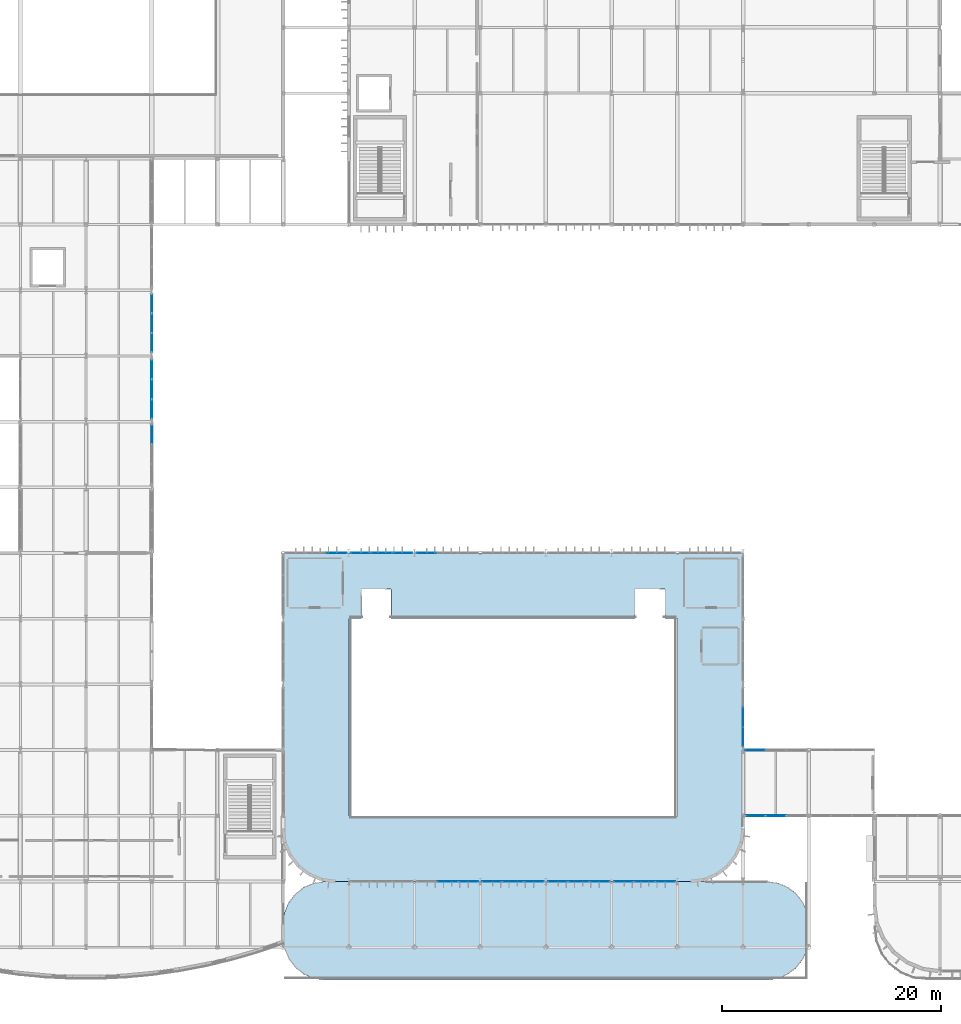
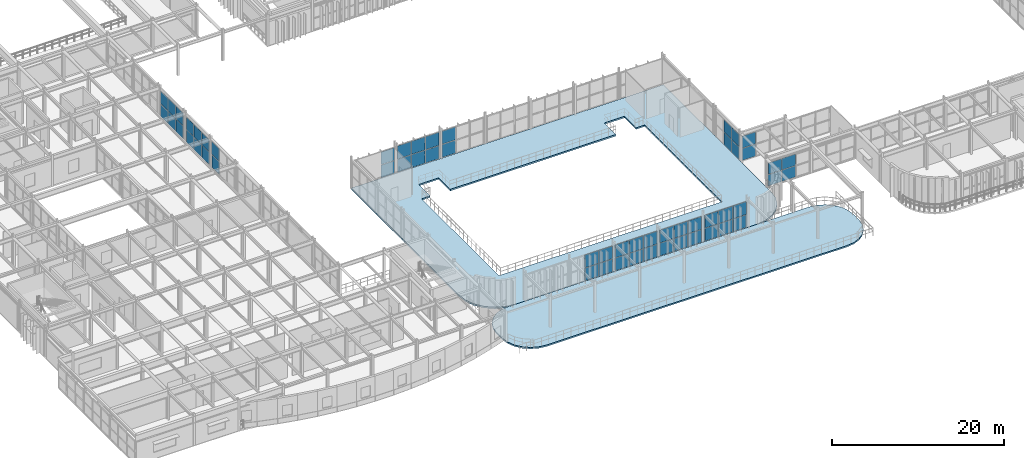
# One storey, part 57 of 96: 56 plates, 2 slabs, 13 elements without a shape of their own.
"""IFC4 building model written with IfcOpenShell, lengths in metres."""

from ifc_helpers import new_model, si_unit, direction, frame, origin, origin_2d, place, context, subcontext, project, spatial, polyline, rectangle, outline, extrude, material, layer, layer_set, type_object, element, aggregate, save


model = new_model("IFC4")

# Units and contexts
model_context = context("Model", 3, precision=1e-05, world=origin(), true_north=direction((0.0, 1.0)))
body_context = subcontext(model_context, "Body", "Model", "MODEL_VIEW")
ifc_project = project(units=[si_unit("LENGTHUNIT", "METRE"), si_unit("AREAUNIT", "SQUARE_METRE"), si_unit("VOLUMEUNIT", "CUBIC_METRE"), si_unit("PLANEANGLEUNIT", "RADIAN"), si_unit("MASSUNIT", "GRAM", prefix="KILO")], contexts=[model_context])

# Site, building, storey
site_placement = place(None, origin())
site = spatial("IfcSite", under=ifc_project, at=site_placement, CompositionType="ELEMENT")
building_placement = place(site_placement, origin())
building = spatial("IfcBuilding", under=site, at=building_placement, Name="Varnakota Square Police Headquarters", CompositionType="ELEMENT")
storey_placement = place(building_placement, frame((0.0, 0.0, 4.800048828125)))
storey = spatial("IfcBuildingStorey", under=building, at=storey_placement, Name="L01", CompositionType="ELEMENT", Elevation=4.800048828125)

# Curtain wall, plates
ifc_material_1 = material(Name="Anodised Aluminium Framing", Category="aluminium")
curtain_wall_type_1 = type_object("IfcCurtainWallType", Name="CW-SYS-B", PredefinedType="NOTDEFINED", material=ifc_material_1)
curtain_wall_1_placement = place(storey_placement, origin())
curtain_wall_1 = element("IfcCurtainWall", 1, at=curtain_wall_1_placement, inside=storey, type_object=curtain_wall_type_1, Name="Unitised curtain wall CWG-L01-019", PredefinedType="NOTDEFINED")
ifc_material_2 = material(Name="Solar-Control Laminated Double Glazing", Category="glass")
ifc_layer_1 = layer(ifc_material_2, 0.028076171875, Name="Solar-Control Laminated Double Glazing")
ifc_layer_set_1 = layer_set([ifc_layer_1], Name="Solar-Control Laminated Double Glazing")
plate_type_1 = type_object("IfcPlateType", Name="CWP-GLZ-28", PredefinedType="CURTAIN_PANEL", material=ifc_layer_set_1)
plate_1_placement = place(storey_placement, frame((79.0966796875, 9.0, 0.06494140625), z_axis=(0.0, 0.0, 1.0), x_axis=(1.0, 0.0, 0.0)))
plate_1 = element("IfcPlate", 2, at=plate_1_placement, type_object=plate_type_1, Name="CWG-L01-019 panel 1.1", PredefinedType="CURTAIN_PANEL", context=body_context, shape_type="SweptSolid", body=[
    extrude(rectangle(XDim=1.803466796875, YDim=0.028076171875, at=origin_2d()), origin(), (0.0, 0.0, 1.0), 1.797607421875),
])
plate_2_placement = place(storey_placement, frame((80.9814453125, 9.0, 0.06494140625), z_axis=(0.0, 0.0, 1.0), x_axis=(1.0, 0.0, 0.0)))
plate_2 = element("IfcPlate", 3, at=plate_2_placement, type_object=plate_type_1, Name="CWG-L01-019 panel 2.1", PredefinedType="CURTAIN_PANEL", context=body_context, shape_type="SweptSolid", body=[
    extrude(rectangle(XDim=1.8359375, YDim=0.028076171875, at=origin_2d()), origin(), (0.0, 0.0, 1.0), 1.797607421875),
])
plate_3_placement = place(storey_placement, frame((82.866455078125, 9.0, 0.06494140625), z_axis=(0.0, 0.0, 1.0), x_axis=(1.0, 0.0, 0.0)))
plate_3 = element("IfcPlate", 4, at=plate_3_placement, type_object=plate_type_1, Name="CWG-L01-019 panel 3.1", PredefinedType="CURTAIN_PANEL", context=body_context, shape_type="SweptSolid", body=[
    extrude(rectangle(XDim=1.803466796875, YDim=0.028076171875, at=origin_2d()), origin(), (0.0, 0.0, 1.0), 1.797607421875),
])

# Curtain wall, plate
curtain_wall_2_placement = place(storey_placement, origin())
curtain_wall_2 = element("IfcCurtainWall", 5, at=curtain_wall_2_placement, inside=storey, type_object=curtain_wall_type_1, Name="Unitised curtain wall CWG-L01-023", PredefinedType="NOTDEFINED")
plate_4_placement = place(storey_placement, frame((67.0966796875, 39.0, 0.06494140625), z_axis=(0.0, 0.0, 1.0), x_axis=(1.0, 0.0, 0.0)))
plate_4 = element("IfcPlate", 6, at=plate_4_placement, type_object=plate_type_1, Name="CWG-L01-023 panel 1.1", PredefinedType="CURTAIN_PANEL", context=body_context, shape_type="SweptSolid", body=[
    extrude(rectangle(XDim=1.803466796875, YDim=0.028076171875, at=origin_2d()), origin(), (0.0, 0.0, 1.0), 1.847412109375),
])

curtain_wall_type_2 = type_object("IfcCurtainWallType", Name="CW-SYS-D", PredefinedType="NOTDEFINED", material=ifc_material_1)
curtain_wall_3_placement = place(storey_placement, origin())
curtain_wall_3 = element("IfcCurtainWall", 7, at=curtain_wall_3_placement, inside=storey, type_object=curtain_wall_type_2, Name="Unitised curtain wall CWG-L01-143", PredefinedType="NOTDEFINED")
plate_5_placement = place(storey_placement, frame((42.0, 49.843017578125, 0.06494140625), z_axis=(0.0, 0.0, 1.0), x_axis=(0.0, 1.0, 0.0)))
plate_5 = element("IfcPlate", 8, at=plate_5_placement, type_object=plate_type_1, Name="CWG-L01-143 panel 3.1", PredefinedType="CURTAIN_PANEL", context=body_context, shape_type="SweptSolid", body=[
    extrude(rectangle(XDim=1.72412109375, YDim=0.028076171875, at=origin_2d()), origin(), (0.0, 0.0, 1.0), 1.794189453125),
])

# Curtain wall, plates
curtain_wall_4_placement = place(storey_placement, origin())
curtain_wall_4 = element("IfcCurtainWall", 9, at=curtain_wall_4_placement, inside=storey, type_object=curtain_wall_type_1, Name="Unitised curtain wall CWG-L01-020", PredefinedType="NOTDEFINED")
ifc_material_3 = material(Name="Acoustic Laminated Double Glazing", Category="glass")
ifc_layer_2 = layer(ifc_material_3, 0.031982421875, Name="Acoustic Laminated Double Glazing")
ifc_layer_set_2 = layer_set([ifc_layer_2], Name="Acoustic Laminated Double Glazing")
plate_type_2 = type_object("IfcPlateType", Name="CWP-GLZ-32", PredefinedType="CURTAIN_PANEL", material=ifc_layer_set_2)
plate_6_placement = place(storey_placement, frame((85.133544921875, 9.0, 0.06494140625), z_axis=(0.0, 0.0, 1.0), x_axis=(1.0, 0.0, 0.0)))
plate_6 = element("IfcPlate", 10, at=plate_6_placement, type_object=plate_type_2, Name="CWG-L01-020 panel 1.1", PredefinedType="CURTAIN_PANEL", context=body_context, shape_type="SweptSolid", body=[
    extrude(rectangle(XDim=1.803466796875, YDim=0.031982421875, at=origin_2d()), origin(), (0.0, 0.0, 1.0), 1.797607421875),
])
plate_7_placement = place(storey_placement, frame((87.0185546875, 9.0, 0.06494140625), z_axis=(0.0, 0.0, 1.0), x_axis=(1.0, 0.0, 0.0)))
plate_7 = element("IfcPlate", 11, at=plate_7_placement, type_object=plate_type_2, Name="CWG-L01-020 panel 2.1", PredefinedType="CURTAIN_PANEL", context=body_context, shape_type="SweptSolid", body=[
    extrude(rectangle(XDim=1.8359375, YDim=0.031982421875, at=origin_2d()), origin(), (0.0, 0.0, 1.0), 1.797607421875),
])
plate_8_placement = place(storey_placement, frame((88.9033203125, 9.0, 0.06494140625), z_axis=(0.0, 0.0, 1.0), x_axis=(1.0, 0.0, 0.0)))
plate_8 = element("IfcPlate", 12, at=plate_8_placement, type_object=plate_type_2, Name="CWG-L01-020 panel 3.1", PredefinedType="CURTAIN_PANEL", context=body_context, shape_type="SweptSolid", body=[
    extrude(rectangle(XDim=1.803466796875, YDim=0.031982421875, at=origin_2d()), origin(), (0.0, 0.0, 1.0), 1.797607421875),
])

curtain_wall_5_placement = place(storey_placement, origin())
curtain_wall_5 = element("IfcCurtainWall", 13, at=curtain_wall_5_placement, inside=storey, type_object=curtain_wall_type_2, Name="Unitised curtain wall CWG-L01-144", PredefinedType="NOTDEFINED")
plate_9_placement = place(storey_placement, frame((42.0, 52.156982421875, 0.06494140625), z_axis=(0.0, 0.0, 1.0), x_axis=(0.0, 1.0, 0.0)))
plate_9 = element("IfcPlate", 14, at=plate_9_placement, type_object=plate_type_2, Name="CWG-L01-144 panel 1.1", PredefinedType="CURTAIN_PANEL", context=body_context, shape_type="SweptSolid", body=[
    extrude(rectangle(XDim=1.72412109375, YDim=0.031982421875, at=origin_2d()), origin(), (0.0, 0.0, 1.0), 1.74755859375),
])
plate_10_placement = place(storey_placement, frame((42.0, 53.96240234375, 0.06494140625), z_axis=(0.0, 0.0, 1.0), x_axis=(0.0, 1.0, 0.0)))
plate_10 = element("IfcPlate", 15, at=plate_10_placement, type_object=plate_type_2, Name="CWG-L01-144 panel 2.1", PredefinedType="CURTAIN_PANEL", context=body_context, shape_type="SweptSolid", body=[
    extrude(rectangle(XDim=1.756591796875, YDim=0.031982421875, at=origin_2d()), origin(), (0.0, 0.0, 1.0), 1.74755859375),
])
plate_11_placement = place(storey_placement, frame((42.0, 55.767822265625, 0.06494140625), z_axis=(0.0, 0.0, 1.0), x_axis=(0.0, 1.0, 0.0)))
plate_11 = element("IfcPlate", 16, at=plate_11_placement, type_object=plate_type_2, Name="CWG-L01-144 panel 3.1", PredefinedType="CURTAIN_PANEL", context=body_context, shape_type="SweptSolid", body=[
    extrude(rectangle(XDim=1.72412109375, YDim=0.031982421875, at=origin_2d()), origin(), (0.0, 0.0, 1.0), 1.74755859375),
])

curtain_wall_type_3 = type_object("IfcCurtainWallType", Name="CW-SYS-E", PredefinedType="NOTDEFINED", material=ifc_material_1)
curtain_wall_6_placement = place(storey_placement, origin())
curtain_wall_6 = element("IfcCurtainWall", 17, at=curtain_wall_6_placement, inside=storey, type_object=curtain_wall_type_3, Name="Unitised curtain wall CWG-L01-216", PredefinedType="NOTDEFINED")
plate_12_placement = place(storey_placement, frame((97.12939453125, 15.0, 0.06494140625), z_axis=(0.0, 0.0, 1.0), x_axis=(1.0, 0.0, 0.0)))
plate_12 = element("IfcPlate", 18, at=plate_12_placement, type_object=plate_type_2, Name="CWG-L01-216 panel 1.1", PredefinedType="CURTAIN_PANEL", context=body_context, shape_type="SweptSolid", body=[
    extrude(rectangle(XDim=1.795166015625, YDim=0.031982421875, at=origin_2d()), origin(), (0.0, 0.0, 1.0), 1.597412109375),
])
plate_13_placement = place(storey_placement, frame((99.005859375, 15.0, 0.06494140625), z_axis=(0.0, 0.0, 1.0), x_axis=(1.0, 0.0, 0.0)))
plate_13 = element("IfcPlate", 19, at=plate_13_placement, type_object=plate_type_2, Name="CWG-L01-216 panel 2.1", PredefinedType="CURTAIN_PANEL", context=body_context, shape_type="SweptSolid", body=[
    extrude(rectangle(XDim=1.82763671875, YDim=0.031982421875, at=origin_2d()), origin(), (0.0, 0.0, 1.0), 1.597412109375),
])

curtain_wall_7_placement = place(storey_placement, origin())
curtain_wall_7 = element("IfcCurtainWall", 20, at=curtain_wall_7_placement, inside=storey, type_object=curtain_wall_type_1, Name="Unitised curtain wall CWG-L01-017", PredefinedType="NOTDEFINED")
ifc_material_4 = material(Name="Blast-Resistant Laminated Glazing", Category="glass")
ifc_layer_3 = layer(ifc_material_4, 0.035888671875, Name="Blast-Resistant Laminated Glazing")
ifc_layer_set_3 = layer_set([ifc_layer_3], Name="Blast-Resistant Laminated Glazing")
plate_type_3 = type_object("IfcPlateType", Name="CWP-GLZ-36", PredefinedType="CURTAIN_PANEL", material=ifc_layer_set_3)
plate_14_placement = place(storey_placement, frame((69.0185546875, 9.0, 0.06494140625), z_axis=(0.0, 0.0, 1.0), x_axis=(1.0, 0.0, 0.0)))
plate_14 = element("IfcPlate", 21, at=plate_14_placement, type_object=plate_type_3, Name="CWG-L01-017 panel 2.1", PredefinedType="CURTAIN_PANEL", context=body_context, shape_type="SweptSolid", body=[
    extrude(rectangle(XDim=1.8359375, YDim=0.035888671875, at=origin_2d()), origin(), (0.0, 0.0, 1.0), 1.797607421875),
])
plate_15_placement = place(storey_placement, frame((70.9033203125, 9.0, 0.06494140625), z_axis=(0.0, 0.0, 1.0), x_axis=(1.0, 0.0, 0.0)))
plate_15 = element("IfcPlate", 22, at=plate_15_placement, type_object=plate_type_3, Name="CWG-L01-017 panel 3.1", PredefinedType="CURTAIN_PANEL", context=body_context, shape_type="SweptSolid", body=[
    extrude(rectangle(XDim=1.803466796875, YDim=0.035888671875, at=origin_2d()), origin(), (0.0, 0.0, 1.0), 1.797607421875),
])

# Curtain wall, plate
curtain_wall_8_placement = place(storey_placement, origin())
curtain_wall_8 = element("IfcCurtainWall", 23, at=curtain_wall_8_placement, inside=storey, type_object=curtain_wall_type_1, Name="Unitised curtain wall CWG-L01-021", PredefinedType="NOTDEFINED")
plate_16_placement = place(storey_placement, frame((58.9033203125, 39.0, 0.06494140625), z_axis=(0.0, 0.0, 1.0), x_axis=(1.0, 0.0, 0.0)))
plate_16 = element("IfcPlate", 24, at=plate_16_placement, type_object=plate_type_3, Name="CWG-L01-021 panel 3.1", PredefinedType="CURTAIN_PANEL", context=body_context, shape_type="SweptSolid", body=[
    extrude(rectangle(XDim=1.803466796875, YDim=0.035888671875, at=origin_2d()), origin(), (0.0, 0.0, 1.0), 1.797607421875),
])

# Curtain wall, plates
curtain_wall_9_placement = place(storey_placement, origin())
curtain_wall_9 = element("IfcCurtainWall", 25, at=curtain_wall_9_placement, inside=storey, type_object=curtain_wall_type_2, Name="Unitised curtain wall CWG-L01-145", PredefinedType="NOTDEFINED")
plate_17_placement = place(storey_placement, frame((42.0, 58.219482421875, 0.06494140625), z_axis=(0.0, 0.0, 1.0), x_axis=(0.0, 1.0, 0.0)))
plate_17 = element("IfcPlate", 26, at=plate_17_placement, type_object=plate_type_3, Name="CWG-L01-145 panel 1.1", PredefinedType="CURTAIN_PANEL", context=body_context, shape_type="SweptSolid", body=[
    extrude(rectangle(XDim=1.69921875, YDim=0.035888671875, at=origin_2d()), origin(), (0.0, 0.0, 1.0), 1.7724609375),
])
plate_18_placement = place(storey_placement, frame((42.0, 60.0, 0.06494140625), z_axis=(0.0, 0.0, 1.0), x_axis=(0.0, 1.0, 0.0)))
plate_18 = element("IfcPlate", 27, at=plate_18_placement, type_object=plate_type_3, Name="CWG-L01-145 panel 2.1", PredefinedType="CURTAIN_PANEL", context=body_context, shape_type="SweptSolid", body=[
    extrude(rectangle(XDim=1.731689453125, YDim=0.035888671875, at=origin_2d()), origin(), (0.0, 0.0, 1.0), 1.7724609375),
])
plate_19_placement = place(storey_placement, frame((42.0, 61.780517578125, 0.06494140625), z_axis=(0.0, 0.0, 1.0), x_axis=(0.0, 1.0, 0.0)))
plate_19 = element("IfcPlate", 28, at=plate_19_placement, type_object=plate_type_3, Name="CWG-L01-145 panel 3.1", PredefinedType="CURTAIN_PANEL", context=body_context, shape_type="SweptSolid", body=[
    extrude(rectangle(XDim=1.69921875, YDim=0.035888671875, at=origin_2d()), origin(), (0.0, 0.0, 1.0), 1.7724609375),
])

# Curtain wall, plate
curtain_wall_10_placement = place(storey_placement, origin())
curtain_wall_10 = element("IfcCurtainWall", 29, at=curtain_wall_10_placement, inside=storey, type_object=curtain_wall_type_3, Name="Unitised curtain wall CWG-L01-217", PredefinedType="NOTDEFINED")
plate_20_placement = place(storey_placement, frame((97.0986328125, 21.0, 0.06494140625), z_axis=(0.0, 0.0, 1.0), x_axis=(1.0, 0.0, 0.0)))
plate_20 = element("IfcPlate", 30, at=plate_20_placement, type_object=plate_type_3, Name="CWG-L01-217 panel 1.1", PredefinedType="CURTAIN_PANEL", context=body_context, shape_type="SweptSolid", body=[
    extrude(rectangle(XDim=1.8076171875, YDim=0.035888671875, at=origin_2d()), origin(), (0.0, 0.0, 1.0), 1.697509765625),
])

# Curtain wall, plates
curtain_wall_11_placement = place(storey_placement, origin())
curtain_wall_11 = element("IfcCurtainWall", 31, at=curtain_wall_11_placement, inside=storey, type_object=curtain_wall_type_1, Name="Unitised curtain wall CWG-L01-018", PredefinedType="NOTDEFINED")
ifc_material_5 = material(Name="Triple-Glazed Clean-Lab Vision Unit", Category="aluminium")
ifc_layer_4 = layer(ifc_material_5, 0.0419921875, Name="Triple-Glazed Clean-Lab Vision Unit")
ifc_layer_set_4 = layer_set([ifc_layer_4], Name="Triple-Glazed Clean-Lab Vision Unit")
plate_type_4 = type_object("IfcPlateType", Name="CWP-GLZ-42", PredefinedType="CURTAIN_PANEL", material=ifc_layer_set_4)
plate_21_placement = place(storey_placement, frame((73.10302734375, 9.0, 0.06494140625), z_axis=(0.0, 0.0, 1.0), x_axis=(1.0, 0.0, 0.0)))
plate_21 = element("IfcPlate", 32, at=plate_21_placement, type_object=plate_type_4, Name="CWG-L01-018 panel 1.1", PredefinedType="CURTAIN_PANEL", context=body_context, shape_type="SweptSolid", body=[
    extrude(rectangle(XDim=1.81591796875, YDim=0.0419921875, at=origin_2d()), origin(), (0.0, 0.0, 1.0), 1.797607421875),
])
plate_22_placement = place(storey_placement, frame((75.0, 9.0, 0.06494140625), z_axis=(0.0, 0.0, 1.0), x_axis=(1.0, 0.0, 0.0)))
plate_22 = element("IfcPlate", 33, at=plate_22_placement, type_object=plate_type_4, Name="CWG-L01-018 panel 2.1", PredefinedType="CURTAIN_PANEL", context=body_context, shape_type="SweptSolid", body=[
    extrude(rectangle(XDim=1.848388671875, YDim=0.0419921875, at=origin_2d()), origin(), (0.0, 0.0, 1.0), 1.797607421875),
])
plate_23_placement = place(storey_placement, frame((76.89697265625, 9.0, 0.06494140625), z_axis=(0.0, 0.0, 1.0), x_axis=(1.0, 0.0, 0.0)))
plate_23 = element("IfcPlate", 34, at=plate_23_placement, type_object=plate_type_4, Name="CWG-L01-018 panel 3.1", PredefinedType="CURTAIN_PANEL", context=body_context, shape_type="SweptSolid", body=[
    extrude(rectangle(XDim=1.81591796875, YDim=0.0419921875, at=origin_2d()), origin(), (0.0, 0.0, 1.0), 1.797607421875),
])

curtain_wall_12_placement = place(storey_placement, origin())
curtain_wall_12 = element("IfcCurtainWall", 35, at=curtain_wall_12_placement, inside=storey, type_object=curtain_wall_type_1, Name="Unitised curtain wall CWG-L01-022", PredefinedType="NOTDEFINED")
plate_24_placement = place(storey_placement, frame((61.10302734375, 39.0, 0.06494140625), z_axis=(0.0, 0.0, 1.0), x_axis=(1.0, 0.0, 0.0)))
plate_24 = element("IfcPlate", 36, at=plate_24_placement, type_object=plate_type_4, Name="CWG-L01-022 panel 1.1", PredefinedType="CURTAIN_PANEL", context=body_context, shape_type="SweptSolid", body=[
    extrude(rectangle(XDim=1.81591796875, YDim=0.0419921875, at=origin_2d()), origin(), (0.0, 0.0, 1.0), 1.847412109375),
])
plate_25_placement = place(storey_placement, frame((63.0, 39.0, 0.06494140625), z_axis=(0.0, 0.0, 1.0), x_axis=(1.0, 0.0, 0.0)))
plate_25 = element("IfcPlate", 37, at=plate_25_placement, type_object=plate_type_4, Name="CWG-L01-022 panel 2.1", PredefinedType="CURTAIN_PANEL", context=body_context, shape_type="SweptSolid", body=[
    extrude(rectangle(XDim=1.848388671875, YDim=0.0419921875, at=origin_2d()), origin(), (0.0, 0.0, 1.0), 1.847412109375),
])
plate_26_placement = place(storey_placement, frame((64.89697265625, 39.0, 0.06494140625), z_axis=(0.0, 0.0, 1.0), x_axis=(1.0, 0.0, 0.0)))
plate_26 = element("IfcPlate", 38, at=plate_26_placement, type_object=plate_type_4, Name="CWG-L01-022 panel 3.1", PredefinedType="CURTAIN_PANEL", context=body_context, shape_type="SweptSolid", body=[
    extrude(rectangle(XDim=1.81591796875, YDim=0.0419921875, at=origin_2d()), origin(), (0.0, 0.0, 1.0), 1.847412109375),
])

curtain_wall_13_placement = place(storey_placement, origin())
curtain_wall_13 = element("IfcCurtainWall", 39, at=curtain_wall_13_placement, inside=storey, type_object=curtain_wall_type_1, Name="Unitised curtain wall CWG-L01-030", PredefinedType="NOTDEFINED")
plate_27_placement = place(storey_placement, frame((96.0, 22.219482421875, 0.06494140625), z_axis=(0.0, 0.0, 1.0), x_axis=(0.0, 1.0, 0.0)))
plate_27 = element("IfcPlate", 40, at=plate_27_placement, type_object=plate_type_4, Name="CWG-L01-030 panel 1.1", PredefinedType="CURTAIN_PANEL", context=body_context, shape_type="SweptSolid", body=[
    extrude(rectangle(XDim=1.69921875, YDim=0.0419921875, at=origin_2d()), origin(), (0.0, 0.0, 1.0), 1.74755859375),
])
plate_28_placement = place(storey_placement, frame((96.0, 24.0, 0.06494140625), z_axis=(0.0, 0.0, 1.0), x_axis=(0.0, 1.0, 0.0)))
plate_28 = element("IfcPlate", 41, at=plate_28_placement, type_object=plate_type_4, Name="CWG-L01-030 panel 2.1", PredefinedType="CURTAIN_PANEL", context=body_context, shape_type="SweptSolid", body=[
    extrude(rectangle(XDim=1.731689453125, YDim=0.0419921875, at=origin_2d()), origin(), (0.0, 0.0, 1.0), 1.74755859375),
])

# Plate
ifc_material_6 = material(Name="Insulated Anodised Aluminium Spandrel Panel", Category="aluminium")
ifc_layer_5 = layer(ifc_material_6, 0.050048828125, Name="Insulated Anodised Aluminium Spandrel Panel")
ifc_layer_set_5 = layer_set([ifc_layer_5], Name="Insulated Anodised Aluminium Spandrel Panel")
plate_type_5 = type_object("IfcPlateType", Name="CWP-SPN-50", PredefinedType="CURTAIN_PANEL", material=ifc_layer_set_5)
plate_29_placement = place(storey_placement, frame((69.0185546875, 9.0, 1.92724609375), z_axis=(0.0, 0.0, 1.0), x_axis=(1.0, 0.0, 0.0)))
plate_29 = element("IfcPlate", 42, at=plate_29_placement, type_object=plate_type_5, Name="CWG-L01-017 panel 2.2", PredefinedType="CURTAIN_PANEL", context=body_context, shape_type="SweptSolid", body=[
    extrude(rectangle(XDim=1.8359375, YDim=0.050048828125, at=origin_2d()), origin(), (0.0, 0.0, 1.0), 1.797607421875),
])

plate_30_placement = place(storey_placement, frame((70.9033203125, 9.0, 1.92724609375), z_axis=(0.0, 0.0, 1.0), x_axis=(1.0, 0.0, 0.0)))
plate_30 = element("IfcPlate", 43, at=plate_30_placement, type_object=plate_type_5, Name="CWG-L01-017 panel 3.2", PredefinedType="CURTAIN_PANEL", context=body_context, shape_type="SweptSolid", body=[
    extrude(rectangle(XDim=1.803466796875, YDim=0.050048828125, at=origin_2d()), origin(), (0.0, 0.0, 1.0), 1.797607421875),
])

aggregate(curtain_wall_7, [plate_14, plate_29, plate_15, plate_30])

plate_31_placement = place(storey_placement, frame((79.0966796875, 9.0, 1.92724609375), z_axis=(0.0, 0.0, 1.0), x_axis=(1.0, 0.0, 0.0)))
plate_31 = element("IfcPlate", 44, at=plate_31_placement, type_object=plate_type_5, Name="CWG-L01-019 panel 1.2", PredefinedType="CURTAIN_PANEL", context=body_context, shape_type="SweptSolid", body=[
    extrude(rectangle(XDim=1.803466796875, YDim=0.050048828125, at=origin_2d()), origin(), (0.0, 0.0, 1.0), 1.797607421875),
])

plate_32_placement = place(storey_placement, frame((80.9814453125, 9.0, 1.92724609375), z_axis=(0.0, 0.0, 1.0), x_axis=(1.0, 0.0, 0.0)))
plate_32 = element("IfcPlate", 45, at=plate_32_placement, type_object=plate_type_5, Name="CWG-L01-019 panel 2.2", PredefinedType="CURTAIN_PANEL", context=body_context, shape_type="SweptSolid", body=[
    extrude(rectangle(XDim=1.8359375, YDim=0.050048828125, at=origin_2d()), origin(), (0.0, 0.0, 1.0), 1.797607421875),
])

plate_33_placement = place(storey_placement, frame((82.866455078125, 9.0, 1.92724609375), z_axis=(0.0, 0.0, 1.0), x_axis=(1.0, 0.0, 0.0)))
plate_33 = element("IfcPlate", 46, at=plate_33_placement, type_object=plate_type_5, Name="CWG-L01-019 panel 3.2", PredefinedType="CURTAIN_PANEL", context=body_context, shape_type="SweptSolid", body=[
    extrude(rectangle(XDim=1.803466796875, YDim=0.050048828125, at=origin_2d()), origin(), (0.0, 0.0, 1.0), 1.797607421875),
])

aggregate(curtain_wall_1, [plate_1, plate_31, plate_2, plate_32, plate_3, plate_33])

plate_34_placement = place(storey_placement, frame((58.9033203125, 39.0, 1.92724609375), z_axis=(0.0, 0.0, 1.0), x_axis=(1.0, 0.0, 0.0)))
plate_34 = element("IfcPlate", 47, at=plate_34_placement, type_object=plate_type_5, Name="CWG-L01-021 panel 3.2", PredefinedType="CURTAIN_PANEL", context=body_context, shape_type="SweptSolid", body=[
    extrude(rectangle(XDim=1.803466796875, YDim=0.050048828125, at=origin_2d()), origin(), (0.0, 0.0, 1.0), 1.797607421875),
])

aggregate(curtain_wall_8, [plate_16, plate_34])

plate_35_placement = place(storey_placement, frame((67.0966796875, 39.0, 1.9775390625), z_axis=(0.0, 0.0, 1.0), x_axis=(1.0, 0.0, 0.0)))
plate_35 = element("IfcPlate", 48, at=plate_35_placement, type_object=plate_type_5, Name="CWG-L01-023 panel 1.2", PredefinedType="CURTAIN_PANEL", context=body_context, shape_type="SweptSolid", body=[
    extrude(rectangle(XDim=1.803466796875, YDim=0.050048828125, at=origin_2d()), origin(), (0.0, 0.0, 1.0), 1.847412109375),
])

aggregate(curtain_wall_2, [plate_4, plate_35])

plate_36_placement = place(storey_placement, frame((42.0, 49.843017578125, 1.92431640625), z_axis=(0.0, 0.0, 1.0), x_axis=(0.0, 1.0, 0.0)))
plate_36 = element("IfcPlate", 49, at=plate_36_placement, type_object=plate_type_5, Name="CWG-L01-143 panel 3.2", PredefinedType="CURTAIN_PANEL", context=body_context, shape_type="SweptSolid", body=[
    extrude(rectangle(XDim=1.72412109375, YDim=0.050048828125, at=origin_2d()), origin(), (0.0, 0.0, 1.0), 1.794189453125),
])

aggregate(curtain_wall_3, [plate_5, plate_36])

plate_37_placement = place(storey_placement, frame((42.0, 58.219482421875, 1.902587890625), z_axis=(0.0, 0.0, 1.0), x_axis=(0.0, 1.0, 0.0)))
plate_37 = element("IfcPlate", 50, at=plate_37_placement, type_object=plate_type_5, Name="CWG-L01-145 panel 1.2", PredefinedType="CURTAIN_PANEL", context=body_context, shape_type="SweptSolid", body=[
    extrude(rectangle(XDim=1.69921875, YDim=0.050048828125, at=origin_2d()), origin(), (0.0, 0.0, 1.0), 1.7724609375),
])

plate_38_placement = place(storey_placement, frame((42.0, 60.0, 1.902587890625), z_axis=(0.0, 0.0, 1.0), x_axis=(0.0, 1.0, 0.0)))
plate_38 = element("IfcPlate", 51, at=plate_38_placement, type_object=plate_type_5, Name="CWG-L01-145 panel 2.2", PredefinedType="CURTAIN_PANEL", context=body_context, shape_type="SweptSolid", body=[
    extrude(rectangle(XDim=1.731689453125, YDim=0.050048828125, at=origin_2d()), origin(), (0.0, 0.0, 1.0), 1.7724609375),
])

plate_39_placement = place(storey_placement, frame((42.0, 61.780517578125, 1.902587890625), z_axis=(0.0, 0.0, 1.0), x_axis=(0.0, 1.0, 0.0)))
plate_39 = element("IfcPlate", 52, at=plate_39_placement, type_object=plate_type_5, Name="CWG-L01-145 panel 3.2", PredefinedType="CURTAIN_PANEL", context=body_context, shape_type="SweptSolid", body=[
    extrude(rectangle(XDim=1.69921875, YDim=0.050048828125, at=origin_2d()), origin(), (0.0, 0.0, 1.0), 1.7724609375),
])

aggregate(curtain_wall_9, [plate_17, plate_37, plate_18, plate_38, plate_19, plate_39])

plate_40_placement = place(storey_placement, frame((97.0986328125, 21.0, 1.82763671875), z_axis=(0.0, 0.0, 1.0), x_axis=(1.0, 0.0, 0.0)))
plate_40 = element("IfcPlate", 53, at=plate_40_placement, type_object=plate_type_5, Name="CWG-L01-217 panel 1.2", PredefinedType="CURTAIN_PANEL", context=body_context, shape_type="SweptSolid", body=[
    extrude(rectangle(XDim=1.8076171875, YDim=0.050048828125, at=origin_2d()), origin(), (0.0, 0.0, 1.0), 1.697509765625),
])

aggregate(curtain_wall_10, [plate_20, plate_40])

ifc_material_7 = material(Name="Fire-Stopped Mineral-Wool Spandrel Panel", Category="aluminium")
ifc_layer_6 = layer(ifc_material_7, 0.06005859375, Name="Fire-Stopped Mineral-Wool Spandrel Panel")
ifc_layer_set_6 = layer_set([ifc_layer_6], Name="Fire-Stopped Mineral-Wool Spandrel Panel")
plate_type_6 = type_object("IfcPlateType", Name="CWP-SPN-60", PredefinedType="CURTAIN_PANEL", material=ifc_layer_set_6)
plate_41_placement = place(storey_placement, frame((73.10302734375, 9.0, 1.92724609375), z_axis=(0.0, 0.0, 1.0), x_axis=(1.0, 0.0, 0.0)))
plate_41 = element("IfcPlate", 54, at=plate_41_placement, type_object=plate_type_6, Name="CWG-L01-018 panel 1.2", PredefinedType="CURTAIN_PANEL", context=body_context, shape_type="SweptSolid", body=[
    extrude(rectangle(XDim=1.81591796875, YDim=0.06005859375, at=origin_2d()), origin(), (0.0, 0.0, 1.0), 1.797607421875),
])

plate_42_placement = place(storey_placement, frame((75.0, 9.0, 1.92724609375), z_axis=(0.0, 0.0, 1.0), x_axis=(1.0, 0.0, 0.0)))
plate_42 = element("IfcPlate", 55, at=plate_42_placement, type_object=plate_type_6, Name="CWG-L01-018 panel 2.2", PredefinedType="CURTAIN_PANEL", context=body_context, shape_type="SweptSolid", body=[
    extrude(rectangle(XDim=1.848388671875, YDim=0.06005859375, at=origin_2d()), origin(), (0.0, 0.0, 1.0), 1.797607421875),
])

plate_43_placement = place(storey_placement, frame((76.89697265625, 9.0, 1.92724609375), z_axis=(0.0, 0.0, 1.0), x_axis=(1.0, 0.0, 0.0)))
plate_43 = element("IfcPlate", 56, at=plate_43_placement, type_object=plate_type_6, Name="CWG-L01-018 panel 3.2", PredefinedType="CURTAIN_PANEL", context=body_context, shape_type="SweptSolid", body=[
    extrude(rectangle(XDim=1.81591796875, YDim=0.06005859375, at=origin_2d()), origin(), (0.0, 0.0, 1.0), 1.797607421875),
])

aggregate(curtain_wall_11, [plate_21, plate_41, plate_22, plate_42, plate_23, plate_43])

plate_44_placement = place(storey_placement, frame((85.133544921875, 9.0, 1.92724609375), z_axis=(0.0, 0.0, 1.0), x_axis=(1.0, 0.0, 0.0)))
plate_44 = element("IfcPlate", 57, at=plate_44_placement, type_object=plate_type_6, Name="CWG-L01-020 panel 1.2", PredefinedType="CURTAIN_PANEL", context=body_context, shape_type="SweptSolid", body=[
    extrude(rectangle(XDim=1.803466796875, YDim=0.06005859375, at=origin_2d()), origin(), (0.0, 0.0, 1.0), 1.797607421875),
])

plate_45_placement = place(storey_placement, frame((87.0185546875, 9.0, 1.92724609375), z_axis=(0.0, 0.0, 1.0), x_axis=(1.0, 0.0, 0.0)))
plate_45 = element("IfcPlate", 58, at=plate_45_placement, type_object=plate_type_6, Name="CWG-L01-020 panel 2.2", PredefinedType="CURTAIN_PANEL", context=body_context, shape_type="SweptSolid", body=[
    extrude(rectangle(XDim=1.8359375, YDim=0.06005859375, at=origin_2d()), origin(), (0.0, 0.0, 1.0), 1.797607421875),
])

plate_46_placement = place(storey_placement, frame((88.9033203125, 9.0, 1.92724609375), z_axis=(0.0, 0.0, 1.0), x_axis=(1.0, 0.0, 0.0)))
plate_46 = element("IfcPlate", 59, at=plate_46_placement, type_object=plate_type_6, Name="CWG-L01-020 panel 3.2", PredefinedType="CURTAIN_PANEL", context=body_context, shape_type="SweptSolid", body=[
    extrude(rectangle(XDim=1.803466796875, YDim=0.06005859375, at=origin_2d()), origin(), (0.0, 0.0, 1.0), 1.797607421875),
])

aggregate(curtain_wall_4, [plate_6, plate_44, plate_7, plate_45, plate_8, plate_46])

plate_47_placement = place(storey_placement, frame((61.10302734375, 39.0, 1.9775390625), z_axis=(0.0, 0.0, 1.0), x_axis=(1.0, 0.0, 0.0)))
plate_47 = element("IfcPlate", 60, at=plate_47_placement, type_object=plate_type_6, Name="CWG-L01-022 panel 1.2", PredefinedType="CURTAIN_PANEL", context=body_context, shape_type="SweptSolid", body=[
    extrude(rectangle(XDim=1.81591796875, YDim=0.06005859375, at=origin_2d()), origin(), (0.0, 0.0, 1.0), 1.847412109375),
])

plate_48_placement = place(storey_placement, frame((63.0, 39.0, 1.9775390625), z_axis=(0.0, 0.0, 1.0), x_axis=(1.0, 0.0, 0.0)))
plate_48 = element("IfcPlate", 61, at=plate_48_placement, type_object=plate_type_6, Name="CWG-L01-022 panel 2.2", PredefinedType="CURTAIN_PANEL", context=body_context, shape_type="SweptSolid", body=[
    extrude(rectangle(XDim=1.848388671875, YDim=0.06005859375, at=origin_2d()), origin(), (0.0, 0.0, 1.0), 1.847412109375),
])

plate_49_placement = place(storey_placement, frame((64.89697265625, 39.0, 1.9775390625), z_axis=(0.0, 0.0, 1.0), x_axis=(1.0, 0.0, 0.0)))
plate_49 = element("IfcPlate", 62, at=plate_49_placement, type_object=plate_type_6, Name="CWG-L01-022 panel 3.2", PredefinedType="CURTAIN_PANEL", context=body_context, shape_type="SweptSolid", body=[
    extrude(rectangle(XDim=1.81591796875, YDim=0.06005859375, at=origin_2d()), origin(), (0.0, 0.0, 1.0), 1.847412109375),
])

aggregate(curtain_wall_12, [plate_24, plate_47, plate_25, plate_48, plate_26, plate_49])

plate_50_placement = place(storey_placement, frame((96.0, 22.219482421875, 1.87744140625), z_axis=(0.0, 0.0, 1.0), x_axis=(0.0, 1.0, 0.0)))
plate_50 = element("IfcPlate", 63, at=plate_50_placement, type_object=plate_type_6, Name="CWG-L01-030 panel 1.2", PredefinedType="CURTAIN_PANEL", context=body_context, shape_type="SweptSolid", body=[
    extrude(rectangle(XDim=1.69921875, YDim=0.06005859375, at=origin_2d()), origin(), (0.0, 0.0, 1.0), 1.74755859375),
])

plate_51_placement = place(storey_placement, frame((96.0, 24.0, 1.87744140625), z_axis=(0.0, 0.0, 1.0), x_axis=(0.0, 1.0, 0.0)))
plate_51 = element("IfcPlate", 64, at=plate_51_placement, type_object=plate_type_6, Name="CWG-L01-030 panel 2.2", PredefinedType="CURTAIN_PANEL", context=body_context, shape_type="SweptSolid", body=[
    extrude(rectangle(XDim=1.731689453125, YDim=0.06005859375, at=origin_2d()), origin(), (0.0, 0.0, 1.0), 1.74755859375),
])

aggregate(curtain_wall_13, [plate_27, plate_50, plate_28, plate_51])

plate_52_placement = place(storey_placement, frame((42.0, 52.156982421875, 1.87744140625), z_axis=(0.0, 0.0, 1.0), x_axis=(0.0, 1.0, 0.0)))
plate_52 = element("IfcPlate", 65, at=plate_52_placement, type_object=plate_type_6, Name="CWG-L01-144 panel 1.2", PredefinedType="CURTAIN_PANEL", context=body_context, shape_type="SweptSolid", body=[
    extrude(rectangle(XDim=1.72412109375, YDim=0.06005859375, at=origin_2d()), origin(), (0.0, 0.0, 1.0), 1.74755859375),
])

plate_53_placement = place(storey_placement, frame((42.0, 53.96240234375, 1.87744140625), z_axis=(0.0, 0.0, 1.0), x_axis=(0.0, 1.0, 0.0)))
plate_53 = element("IfcPlate", 66, at=plate_53_placement, type_object=plate_type_6, Name="CWG-L01-144 panel 2.2", PredefinedType="CURTAIN_PANEL", context=body_context, shape_type="SweptSolid", body=[
    extrude(rectangle(XDim=1.756591796875, YDim=0.06005859375, at=origin_2d()), origin(), (0.0, 0.0, 1.0), 1.74755859375),
])

plate_54_placement = place(storey_placement, frame((42.0, 55.767822265625, 1.87744140625), z_axis=(0.0, 0.0, 1.0), x_axis=(0.0, 1.0, 0.0)))
plate_54 = element("IfcPlate", 67, at=plate_54_placement, type_object=plate_type_6, Name="CWG-L01-144 panel 3.2", PredefinedType="CURTAIN_PANEL", context=body_context, shape_type="SweptSolid", body=[
    extrude(rectangle(XDim=1.72412109375, YDim=0.06005859375, at=origin_2d()), origin(), (0.0, 0.0, 1.0), 1.74755859375),
])

aggregate(curtain_wall_5, [plate_9, plate_52, plate_10, plate_53, plate_11, plate_54])

plate_55_placement = place(storey_placement, frame((97.12939453125, 15.0, 1.7275390625), z_axis=(0.0, 0.0, 1.0), x_axis=(1.0, 0.0, 0.0)))
plate_55 = element("IfcPlate", 68, at=plate_55_placement, type_object=plate_type_6, Name="CWG-L01-216 panel 1.2", PredefinedType="CURTAIN_PANEL", context=body_context, shape_type="SweptSolid", body=[
    extrude(rectangle(XDim=1.795166015625, YDim=0.06005859375, at=origin_2d()), origin(), (0.0, 0.0, 1.0), 1.597412109375),
])

plate_56_placement = place(storey_placement, frame((99.005859375, 15.0, 1.7275390625), z_axis=(0.0, 0.0, 1.0), x_axis=(1.0, 0.0, 0.0)))
plate_56 = element("IfcPlate", 69, at=plate_56_placement, type_object=plate_type_6, Name="CWG-L01-216 panel 2.2", PredefinedType="CURTAIN_PANEL", context=body_context, shape_type="SweptSolid", body=[
    extrude(rectangle(XDim=1.82763671875, YDim=0.06005859375, at=origin_2d()), origin(), (0.0, 0.0, 1.0), 1.597412109375),
])

aggregate(curtain_wall_6, [plate_12, plate_55, plate_13, plate_56])

# Slabs
ifc_material_8 = material(Name="Concrete M40", Category="concrete")
ifc_layer_7 = layer(ifc_material_8, 0.219970703125, Name="Concrete M40")
ifc_layer_set_7 = layer_set([ifc_layer_7], Name="Concrete M40")
slab_type_1 = type_object("IfcSlabType", Name="SL-COMP-220", PredefinedType="FLOOR", material=ifc_layer_set_7)
slab_1_placement = place(storey_placement, frame((0.0, 0.0, -0.219970703125)))
element("IfcSlab", 70, at=slab_1_placement, inside=storey, type_object=slab_type_1, Name="L01 Entrance Hall Upper Gallery Slab", PredefinedType="FLOOR", context=body_context, shape_type="SweptSolid", body=[
    extrude(outline(polyline([(54.0, 13.800048828125), (54.16357421875, 12.5576171875), (54.64306640625, 11.39990234375), (55.406005859375, 10.406005859375), (56.39990234375, 9.64306640625), (57.5576171875, 9.16357421875), (58.800048828125, 9.0), (91.199951171875, 9.0), (92.4423828125, 9.16357421875), (93.60009765625, 9.64306640625), (94.593994140625, 10.406005859375), (95.35693359375, 11.39990234375), (95.83642578125, 12.5576171875), (96.0, 13.800048828125), (96.0, 39.0), (54.0, 39.0), (54.0, 13.800048828125)]), holes=[polyline([(60.0, 15.0), (90.0, 15.0), (90.0, 33.0), (88.85498046875, 33.0), (88.85498046875, 35.705078125), (86.14501953125, 35.705078125), (86.14501953125, 33.0), (63.85498046875, 33.0), (63.85498046875, 35.705078125), (61.14501953125, 35.705078125), (61.14501953125, 33.0), (60.0, 33.0), (60.0, 15.0)])]), origin(), (0.0, 0.0, 1.0), 0.219970703125),
])
ifc_layer_8 = layer(ifc_material_8, 0.2099609375, Name="Concrete M40")
ifc_layer_set_8 = layer_set([ifc_layer_8], Name="Concrete M40")
slab_type_2 = type_object("IfcSlabType", Name="SL-TERR-210", PredefinedType="FLOOR", material=ifc_layer_set_8)
slab_2_placement = place(storey_placement, frame((0.0, 0.0, -0.2099609375)))
element("IfcSlab", 71, at=slab_2_placement, inside=storey, type_object=slab_type_2, Name="L01 South Colonnade Terrace Walk", PredefinedType="FLOOR", context=body_context, shape_type="SweptSolid", body=[
    extrude(outline(polyline([(54.0, 3.800048828125), (54.12939453125, 2.81640625), (54.509033203125, 1.89990234375), (55.113037109375, 1.113037109375), (55.89990234375, 0.509033203125), (56.81640625, 0.12939453125), (57.800048828125, 0.0), (98.199951171875, 0.0), (99.18359375, 0.12939453125), (100.10009765625, 0.509033203125), (100.886962890625, 1.113037109375), (101.490966796875, 1.89990234375), (101.87060546875, 2.81640625), (102.0, 3.800048828125), (102.0, 5.199951171875), (101.87060546875, 6.18359375), (101.490966796875, 7.10009765625), (100.886962890625, 7.886962890625), (100.10009765625, 8.490966796875), (99.18359375, 8.87060546875), (98.199951171875, 9.0), (57.800048828125, 9.0), (56.81640625, 8.87060546875), (55.89990234375, 8.490966796875), (55.113037109375, 7.886962890625), (54.509033203125, 7.10009765625), (54.12939453125, 6.18359375), (54.0, 5.199951171875), (54.0, 3.800048828125)])), origin(), (0.0, 0.0, 1.0), 0.2099609375),
])

save(model, "model.ifc")
